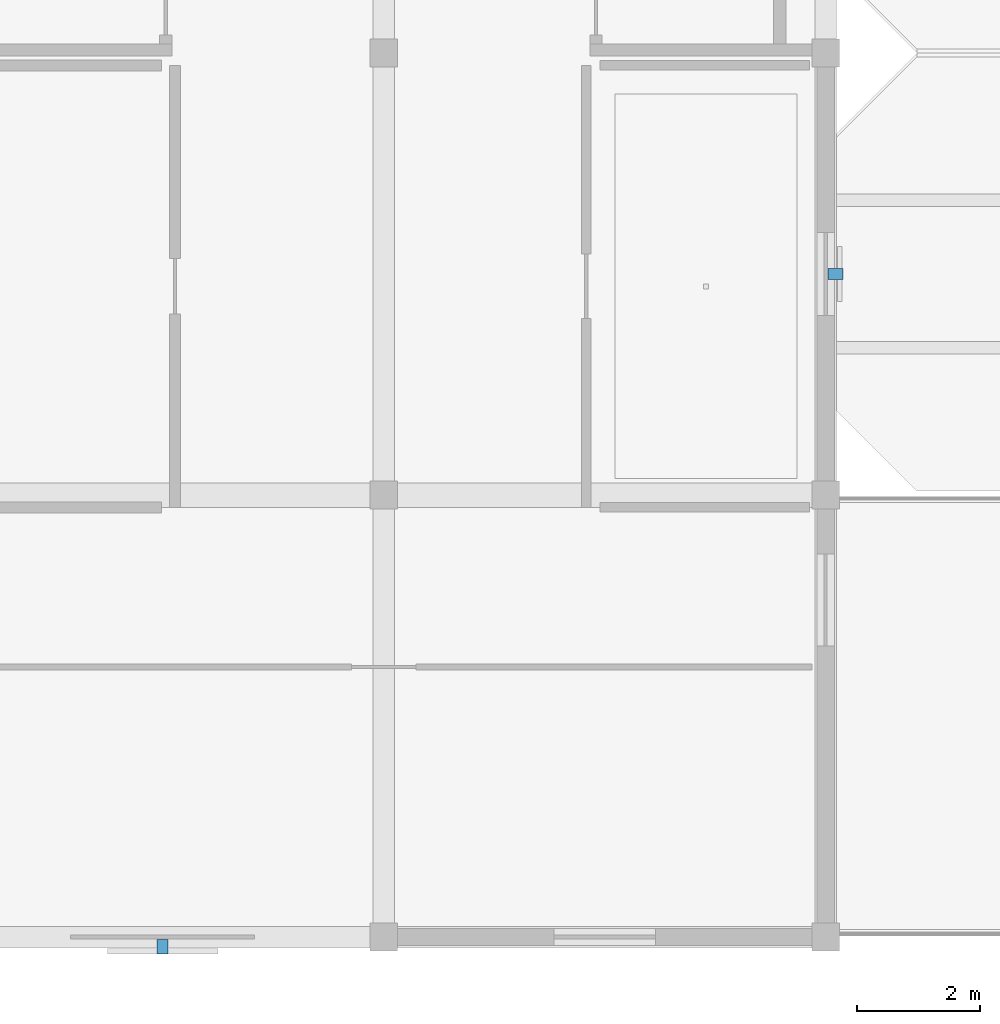
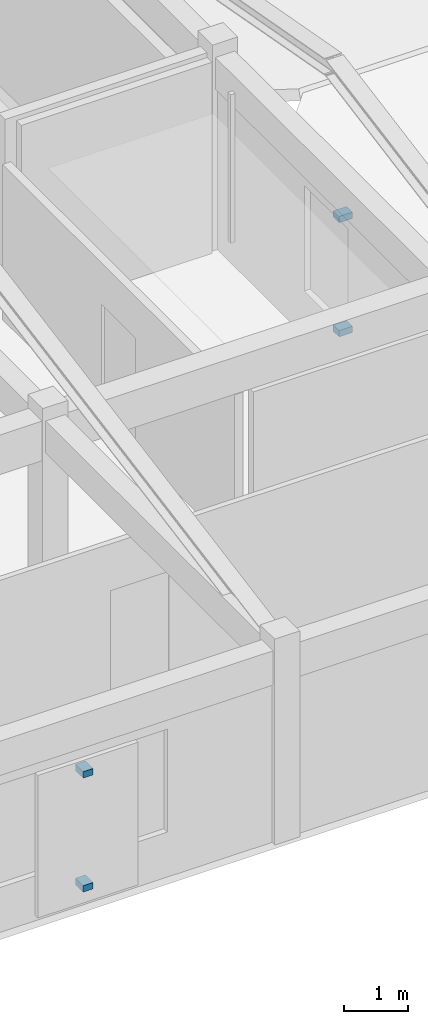
# One storey, part 48 of 54: 4 discrete accessories.
"""IFC4 building model written with IfcOpenShell, lengths in metres."""

from ifc_helpers import new_model, si_unit, direction, frame, origin, origin_2d, place, context, subcontext, project, spatial, rectangle, extrude, material, type_object, element, save


model = new_model("IFC4")

# Units and contexts
model_context = context("Model", 3, precision=1e-05, world=origin(), true_north=direction((0.0, 1.0)))
body_context = subcontext(model_context, "Body", "Model", "MODEL_VIEW")
ifc_project = project(units=[si_unit("LENGTHUNIT", "METRE"), si_unit("AREAUNIT", "SQUARE_METRE"), si_unit("VOLUMEUNIT", "CUBIC_METRE"), si_unit("PLANEANGLEUNIT", "RADIAN"), si_unit("MASSUNIT", "GRAM", prefix="KILO")], contexts=[model_context])

# Site, building, storey
site_placement = place(None, origin())
site = spatial("IfcSite", under=ifc_project, at=site_placement, CompositionType="ELEMENT")
building_placement = place(site_placement, origin())
building = spatial("IfcBuilding", under=site, at=building_placement, Name="Koriwan Promenade Central Fire Station", CompositionType="ELEMENT")
storey_placement = place(building_placement, frame((0.0, 0.0, 9.60009765625)))
storey = spatial("IfcBuildingStorey", under=building, at=storey_placement, Name="L02", CompositionType="ELEMENT", Elevation=9.60009765625)

# Discrete accessories
ifc_material = material(Name="Steel ASTM A572 Grade 50", Category="steel")
discrete_accessory_type = type_object("IfcDiscreteAccessoryType", Name="FacadeBracket_Jali", PredefinedType="BRACKET", material=ifc_material)
for number, where, z_axis, x_axis, name in (
    (1, (14.56005859375, 10.800048828125, 0.3798828125), (0.0, 0.0, 1.0), (1.0, 0.0, 0.0), "Jali corbel bracket 005-B"),
    (2, (14.56005859375, 10.800048828125, 2.539794921875), (0.0, 0.0, 1.0), (1.0, 0.0, 0.0), "Jali corbel bracket 005-T"),
    (3, (3.60009765625, -0.159912109375, 0.354736328125), (0.0, 0.0, 1.0), (0.0, -1.0, 0.0), "Jali corbel bracket 006-B"),
    (4, (3.60009765625, -0.159912109375, 2.514892578125), (0.0, 0.0, 1.0), (0.0, -1.0, 0.0), "Jali corbel bracket 006-T"),
):
    element("IfcDiscreteAccessory", number, at=place(storey_placement, frame(where, z_axis=z_axis, x_axis=x_axis)), inside=storey, type_object=discrete_accessory_type, Name=name, PredefinedType="BRACKET", context=body_context, shape_type="SweptSolid", body=[
        extrude(rectangle(XDim=0.239990234375, YDim=0.179931640625, at=origin_2d()), origin(), (0.0, 0.0, 1.0), 0.1201171875),
    ])

save(model, "model.ifc")
